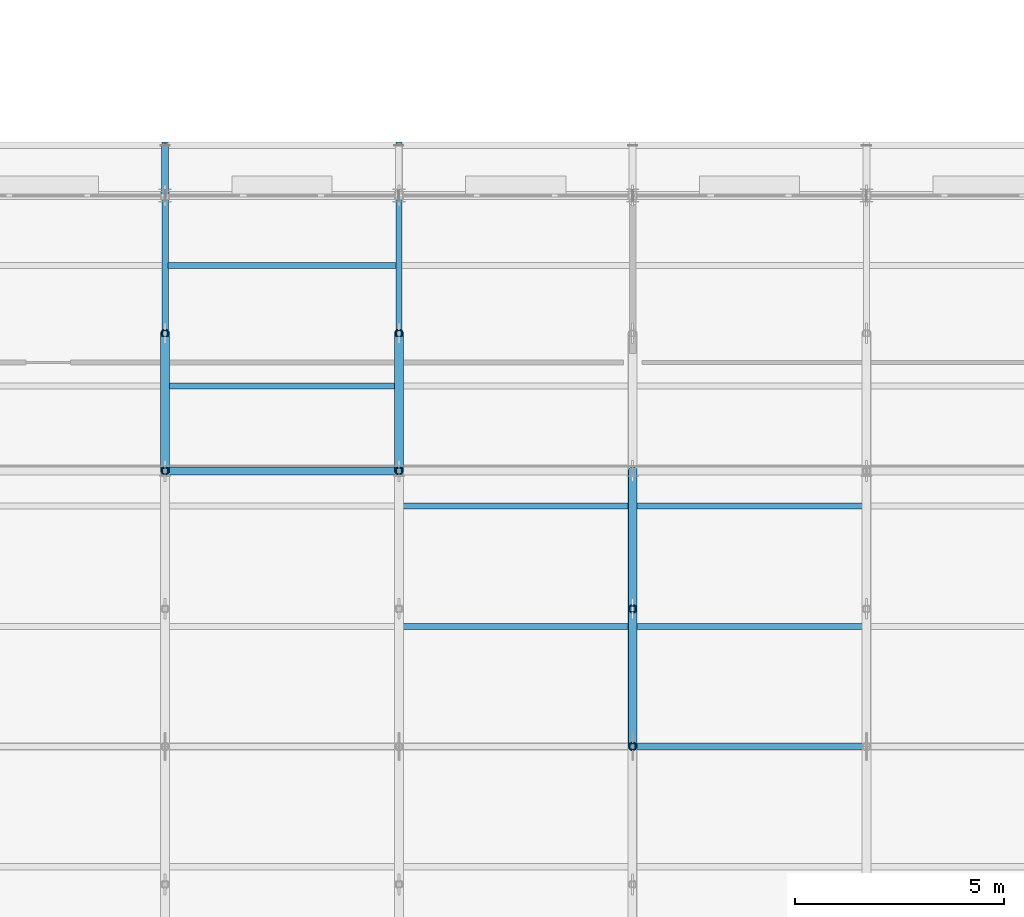
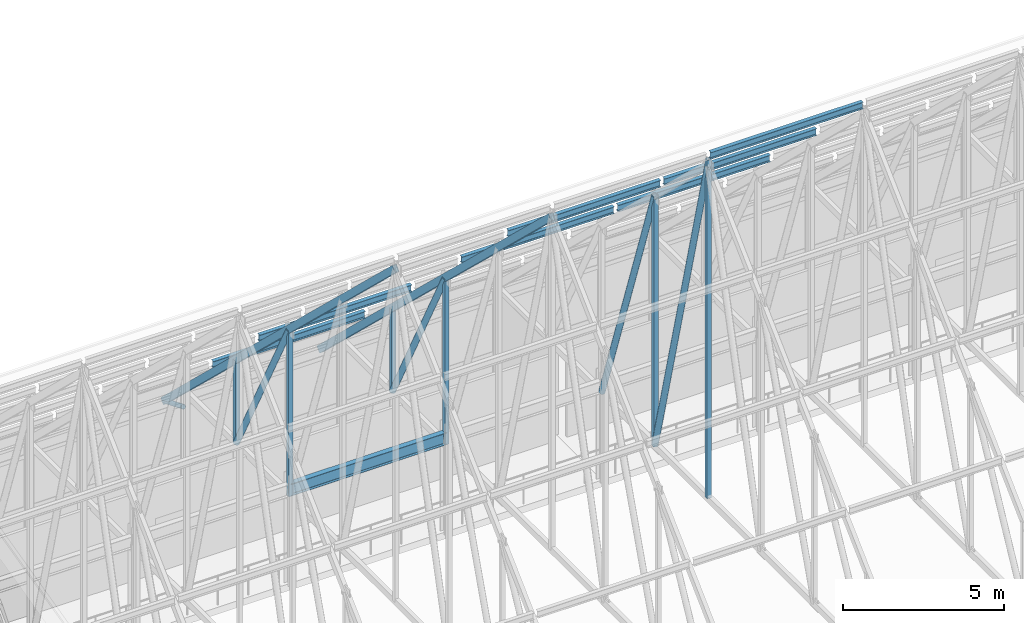
# One storey, part 38 of 144: 20 members, 1 beam.
"""IFC4 building model written with IfcOpenShell, lengths in metres."""

import ifcopenshell
import ifcopenshell.guid

model = None  # the IFC model being written
_history = None  # IfcOwnerHistory: only IFC2X3 demands one
_inside = {}  # id of a spatial element -> (the spatial element, [elements in it])
_under = {}  # id of a project, library or spatial element -> (it, [spatial elements below it])
_declared = {}  # id of a project -> (the project, [libraries it declares])
_typed = {}  # id of a type object -> (the type object, [elements of that type])
_made_of = {}  # id of a material, layer set ... -> (it, [elements and type objects made of it])


def new_model(schema):
    """Start an empty IFC model of exactly this schema.

    Asked for "IFC4X3", IfcOpenShell would pick the latest addendum, in which some entities
    have other attributes; the version numbers below select the first issue.
    IFC2X3 requires an IfcOwnerHistory on every rooted entity: one is made here for all.
    """
    global model, _history
    if schema == "IFC4X3":
        model = ifcopenshell.file(schema_version=(4, 3, 0, 0))
    else:
        model = ifcopenshell.file(schema=schema)
    _inside.clear()
    _under.clear()
    _declared.clear()
    _typed.clear()
    _made_of.clear()
    _history = None
    if model.schema == "IFC2X3":
        org = make("IfcOrganization", Name="unknown")
        user = make(
            "IfcPersonAndOrganization",
            ThePerson=make("IfcPerson", FamilyName="unknown"),
            TheOrganization=org,
        )
        app = make(
            "IfcApplication",
            ApplicationDeveloper=org,
            Version="unknown",
            ApplicationFullName="unknown",
            ApplicationIdentifier="unknown",
        )
        _history = make(
            "IfcOwnerHistory",
            OwningUser=user,
            OwningApplication=app,
            ChangeAction="ADDED",
            CreationDate=0,
        )
    return model


def make(cls, **values):
    """One entity of the class cls with the attributes given. An attribute that is None is left unset."""
    return model.create_entity(
        cls, **{name: value for name, value in values.items() if value is not None}
    )


def rooted(cls, **values):
    """An entity with a GlobalId (a new one), such as an element, a storey or a relation."""
    return make(cls, GlobalId=ifcopenshell.guid.new(), OwnerHistory=_history, **values)


def si_unit(unit_type, name, prefix=None):
    """IfcSIUnit, for example si_unit("LENGTHUNIT", "METRE", prefix="MILLI")."""
    return make("IfcSIUnit", UnitType=unit_type, Prefix=prefix, Name=name)


def assignment(units):
    """IfcUnitAssignment: the units of a project."""
    return None if units is None else make("IfcUnitAssignment", Units=units)


def point(xyz):
    """IfcCartesianPoint."""
    return None if xyz is None else make("IfcCartesianPoint", Coordinates=xyz)


def direction(xyz):
    """IfcDirection."""
    return None if xyz is None else make("IfcDirection", DirectionRatios=xyz)


def frame(location, z_axis=None, x_axis=None):
    """IfcAxis2Placement3D, a coordinate frame: its origin and axes. An axis left out is left unset."""
    return make(
        "IfcAxis2Placement3D",
        Location=point(location),
        Axis=direction(z_axis),
        RefDirection=direction(x_axis),
    )


def frame_2d(location, x_axis=None):
    """IfcAxis2Placement2D, a coordinate frame in the plane: its origin and x axis."""
    return make(
        "IfcAxis2Placement2D", Location=point(location), RefDirection=direction(x_axis)
    )


def origin():
    """The frame at (0, 0, 0) with its axes left unset."""
    return frame((0.0, 0.0, 0.0))


def origin_2d():
    """The frame at (0, 0) in the plane with its x axis left unset."""
    return frame_2d((0.0, 0.0))


def place(relative_to, where):
    """IfcLocalPlacement: puts the frame where relative to a parent placement (None: the world)."""
    return make(
        "IfcLocalPlacement", PlacementRelTo=relative_to, RelativePlacement=where
    )


def context(
    kind, dimensions, precision=None, world=None, true_north=None, identifier=None
):
    """IfcGeometricRepresentationContext, for example the 3D "Model" context."""
    return make(
        "IfcGeometricRepresentationContext",
        ContextIdentifier=identifier,
        ContextType=kind,
        CoordinateSpaceDimension=dimensions,
        Precision=precision,
        WorldCoordinateSystem=world,
        TrueNorth=true_north,
    )


def subcontext(parent, identifier, kind, view, scale=None):
    """IfcGeometricRepresentationSubContext, for example "Body" below "Model"."""
    return make(
        "IfcGeometricRepresentationSubContext",
        ContextIdentifier=identifier,
        ContextType=kind,
        ParentContext=parent,
        TargetScale=scale,
        TargetView=view,
    )


def project(units=None, contexts=None):
    """IfcProject with its units and contexts."""
    return rooted(
        "IfcProject",
        Name="project",
        RepresentationContexts=contexts,
        UnitsInContext=assignment(units),
    )


def spatial(cls, under=None, at=None, **own):
    """A site, building, storey or space (cls), placed at a placement, below another one or the project."""
    s = rooted(cls, ObjectPlacement=at, **own)
    if under is not None:
        _under.setdefault(under.id(), (under, []))[1].append(s)
    return s


def profile(cls, at=None, kind="AREA", **sizes):
    """A parametric profile (cls). Its sizes go by their IFC names, for example OverallWidth=200.0."""
    return make(cls, ProfileType=kind, Position=at, **sizes)


def hollow_rectangle(**sizes):
    """IfcRectangleHollowProfileDef."""
    return profile("IfcRectangleHollowProfileDef", **sizes)


def hollow_circle(**sizes):
    """IfcCircleHollowProfileDef."""
    return profile("IfcCircleHollowProfileDef", **sizes)


def i_section(**sizes):
    """IfcIShapeProfileDef."""
    return profile("IfcIShapeProfileDef", **sizes)


def extrude(swept, where, along, depth):
    """IfcExtrudedAreaSolid: the profile swept, set in the frame where, extruded along a direction by depth."""
    return make(
        "IfcExtrudedAreaSolid",
        SweptArea=swept,
        Position=where,
        ExtrudedDirection=direction(along),
        Depth=depth,
    )


def shape(context_of_items, identifier, shape_type, items):
    """IfcShapeRepresentation: the items that make up one representation, for example the "Body"."""
    return make(
        "IfcShapeRepresentation",
        ContextOfItems=context_of_items,
        RepresentationIdentifier=identifier,
        RepresentationType=shape_type,
        Items=items,
    )


def material(Name=None, Category=None):
    """IfcMaterial."""
    return make("IfcMaterial", Name=Name, Category=Category)


def material_profile(
    of_material, cross_section, Name=None, Category=None, Priority=None
):
    """IfcMaterialProfile: a cross section and its material."""
    return make(
        "IfcMaterialProfile",
        Name=Name,
        Material=of_material,
        Profile=cross_section,
        Priority=Priority,
        Category=Category,
    )


def profile_set(profiles, Name=None, composite=None):
    """IfcMaterialProfileSet."""
    return make(
        "IfcMaterialProfileSet",
        Name=Name,
        MaterialProfiles=profiles,
        CompositeProfile=composite,
    )


def made_of(thing, what):
    """Note that an element or type object is made of a material, layer set ...; save() writes the relation."""
    if what is not None:
        _made_of.setdefault(what.id(), (what, []))[1].append(thing)
    return thing


def type_object(cls, material=None, **own):
    """A type object (cls), such as IfcWallType, which elements share."""
    return made_of(rooted(cls, **own), material)


def element(
    cls,
    number,
    at=None,
    inside=None,
    cuts=None,
    type_object=None,
    material=None,
    context=None,
    identifier="Body",
    shape_type=None,
    held_by="IfcProductDefinitionShape",
    body=None,
    shapes=None,
    **own,
):
    """One element of the class cls, such as IfcWall. Its Tag is "e" and its number.

    at: its placement. inside: the storey or other place that contains it. cuts: it is an
    opening in that element (IfcRelVoidsElement). A single representation is given by context,
    identifier, shape_type and body (its items); several are given by shapes. held_by: the class
    of the entity that holds the representations. save() writes the other relations.
    """
    e = rooted(cls, Tag="e%d" % number, ObjectPlacement=at, **own)
    if body is not None:
        shapes = [shape(context, identifier, shape_type, body)]
    if shapes is not None:
        e.Representation = make(held_by, Representations=shapes)
    if inside is not None:
        _inside.setdefault(inside.id(), (inside, []))[1].append(e)
    if cuts is not None:
        rooted(
            "IfcRelVoidsElement", RelatingBuildingElement=cuts, RelatedOpeningElement=e
        )
    if type_object is not None:
        _typed.setdefault(type_object.id(), (type_object, []))[1].append(e)
    return made_of(e, material)


def aggregate(whole, parts):
    """IfcRelAggregates: a whole, such as a stair, and the parts it consists of."""
    return rooted("IfcRelAggregates", RelatingObject=whole, RelatedObjects=parts)


def save(model, path):
    """Write the relations noted so far, then the file.

    IfcRelAggregates (storeys below a building ...), IfcRelContainedInSpatialStructure (elements
    in a storey), IfcRelDefinesByType, IfcRelAssociatesMaterial and IfcRelDeclares: one each for
    every whole, place, type object, material and project.
    """
    for whole, parts in _under.values():
        aggregate(whole, parts)
    for where, things in _inside.values():
        rooted(
            "IfcRelContainedInSpatialStructure",
            RelatedElements=things,
            RelatingStructure=where,
        )
    for kind, things in _typed.values():
        rooted("IfcRelDefinesByType", RelatedObjects=things, RelatingType=kind)
    for what, things in _made_of.values():
        rooted("IfcRelAssociatesMaterial", RelatedObjects=things, RelatingMaterial=what)
    for by, libraries in _declared.values():
        rooted("IfcRelDeclares", RelatingContext=by, RelatedDefinitions=libraries)
    model.write(path)


model = new_model("IFC4")

# Units and contexts
model_context = context("Model", 3, precision=1e-05, world=origin(), true_north=direction((0.0, 1.0)))
body_context = subcontext(model_context, "Body", "Model", "MODEL_VIEW")
ifc_project = project(units=[si_unit("LENGTHUNIT", "METRE"), si_unit("AREAUNIT", "SQUARE_METRE"), si_unit("VOLUMEUNIT", "CUBIC_METRE"), si_unit("PLANEANGLEUNIT", "RADIAN"), si_unit("MASSUNIT", "GRAM", prefix="KILO")], contexts=[model_context])

# Site, building, storey
site_placement = place(None, origin())
site = spatial("IfcSite", under=ifc_project, at=site_placement, CompositionType="ELEMENT")
building_placement = place(site_placement, origin())
building = spatial("IfcBuilding", under=site, at=building_placement, Name="Trelmorton Wharf Fire Station", CompositionType="ELEMENT")
storey_placement = place(building_placement, frame((0.0, 0.0, 5.39990234375)))
storey = spatial("IfcBuildingStorey", under=building, at=storey_placement, Name="L01", CompositionType="ELEMENT", Elevation=5.39990234375)

# Members
ifc_material_1 = material(Name="Steel Grade 300 (300 MPa)", Category="steel")
ifc_material_profile_1 = material_profile(ifc_material_1, i_section(OverallWidth=0.14599609375, OverallDepth=0.256103515625, WebThickness=0.00634765625, FlangeThickness=0.010986328125, FilletRadius=0.0087890625, at=origin_2d()), Name="250UB37.3")
ifc_profile_set_1 = profile_set([ifc_material_profile_1], Name="Steel Grade 300 (300 MPa)")
member_type_1 = type_object("IfcMemberType", Name="PR_250UB37", PredefinedType="PURLIN", material=ifc_profile_set_1)
for number, where, z_axis, x_axis, name in (
    (1, (17.672119140625, 29.639892578125, 8.064453125), (1.0, 0.0, 0.0), (0.0, 1.0, 0.0), "V1-PR-B04-N3"),
    (2, (17.672119140625, 32.52001953125, 5.315185546875), (1.0, 0.0, 0.0), (0.0, 1.0, 0.0), "V1-PR-B04-N4"),
):
    element("IfcMember", number, at=place(storey_placement, frame(where, z_axis=z_axis, x_axis=x_axis)), inside=storey, type_object=member_type_1, Name=name, PredefinedType="PURLIN", context=body_context, shape_type="SweptSolid", body=[
        extrude(i_section(OverallWidth=0.14599609375, OverallDepth=0.256103515625, WebThickness=0.00634765625, FlangeThickness=0.010986328125, FilletRadius=0.0087890625, at=origin_2d()), origin(), (0.0, 0.0, 1.0), 5.455810546875),
    ])
for number, where, z_axis, x_axis, name in (
    (3, (23.27197265625, 23.8798828125, 13.5625), (1.0, 0.0, 0.0), (0.0, 1.0, 0.0), "V1-PR-B05-N1"),
    (4, (23.27197265625, 26.760009765625, 10.8134765625), (1.0, 0.0, 0.0), (0.0, 1.0, 0.0), "V1-PR-B05-N2"),
):
    element("IfcMember", number, at=place(storey_placement, frame(where, z_axis=z_axis, x_axis=x_axis)), inside=storey, type_object=member_type_1, Name=name, PredefinedType="PURLIN", context=body_context, shape_type="SweptSolid", body=[
        extrude(i_section(OverallWidth=0.14599609375, OverallDepth=0.256103515625, WebThickness=0.00634765625, FlangeThickness=0.010986328125, FilletRadius=0.0087890625, at=origin_2d()), origin(), (0.0, 0.0, 1.0), 5.4560546875),
    ])
for number, where, z_axis, x_axis, name in (
    (5, (28.8720703125, 21.0, 16.311767578125), (1.0, 0.0, 0.0), (0.0, 1.0, 0.0), "V1-PR-B06-S5"),
    (6, (28.8720703125, 23.8798828125, 13.5625), (1.0, 0.0, 0.0), (0.0, 1.0, 0.0), "V1-PR-B06-N1"),
    (7, (28.8720703125, 26.760009765625, 10.8134765625), (1.0, 0.0, 0.0), (0.0, 1.0, 0.0), "V1-PR-B06-N2"),
):
    element("IfcMember", number, at=place(storey_placement, frame(where, z_axis=z_axis, x_axis=x_axis)), inside=storey, type_object=member_type_1, Name=name, PredefinedType="PURLIN", context=body_context, shape_type="SweptSolid", body=[
        extrude(i_section(OverallWidth=0.14599609375, OverallDepth=0.256103515625, WebThickness=0.00634765625, FlangeThickness=0.010986328125, FilletRadius=0.0087890625, at=origin_2d()), origin(), (0.0, 0.0, 1.0), 5.455810546875),
    ])

# Beam
ifc_material_2 = material(Name="Steel Grade 350", Category="steel")
ifc_material_profile_2 = material_profile(ifc_material_2, i_section(OverallWidth=0.18994140625, OverallDepth=0.45703125, WebThickness=0.009033203125, FlangeThickness=0.014404296875, FilletRadius=0.011474609375, at=origin_2d()), Name="460UB74.6")
ifc_profile_set_2 = profile_set([ifc_material_profile_2], Name="Steel Grade 350")
beam_type = type_object("IfcBeamType", Name="SP_460UB75", PredefinedType="SPANDREL", material=ifc_profile_set_2)
beam_placement = place(storey_placement, frame((17.60400390625, 27.60009765625, 3.591552734375), z_axis=(1.0, 0.0, 0.0), x_axis=(0.0, 1.0, 0.0)))
element("IfcBeam", 8, at=beam_placement, inside=storey, type_object=beam_type, Name="BM-L01-0455", PredefinedType="SPANDREL", context=body_context, shape_type="SweptSolid", body=[
    extrude(i_section(OverallWidth=0.18994140625, OverallDepth=0.45703125, WebThickness=0.009033203125, FlangeThickness=0.014404296875, FilletRadius=0.011474609375, at=origin_2d()), origin(), (0.0, 0.0, 1.0), 5.592041015625),
])

# Members
ifc_material_3 = material(Name="Steel C350L0 (350 MPa)", Category="steel")
ifc_material_profile_3 = material_profile(ifc_material_3, hollow_circle(Radius=0.084228515625, WallThickness=0.007080078125, at=origin_2d()), Name="168.3x7.1CHS")
ifc_profile_set_3 = profile_set([ifc_material_profile_3], Name="Steel C350L0 (350 MPa)")
member_type_2 = type_object("IfcMemberType", Name="TR_DIAG_168CHS", PredefinedType="STRUT", material=ifc_profile_set_3)
member_1_placement = place(storey_placement, frame((17.60009765625, 34.199951171875, 2.7001953125), z_axis=(0.0, 0.924732639899, -0.380617320553), x_axis=(-1.0, 0.0, 0.0)))
element("IfcMember", 9, at=member_1_placement, inside=storey, type_object=member_type_2, Name="V1-TR04-EAV-N", PredefinedType="STRUT", context=body_context, shape_type="SweptSolid", body=[
    extrude(hollow_circle(Radius=0.084228515625, WallThickness=0.007080078125, at=origin_2d()), origin(), (0.0, 0.0, 1.0), 1.297607421875),
])
ifc_material_profile_4 = material_profile(ifc_material_3, hollow_circle(Radius=0.109619140625, WallThickness=0.00830078125, at=origin_2d()), Name="219.1x8.2CHS")
ifc_profile_set_4 = profile_set([ifc_material_profile_4], Name="Steel C350L0 (350 MPa)")
member_type_3 = type_object("IfcMemberType", Name="TR_DIAG_219CHS", PredefinedType="STRUT", material=ifc_profile_set_4)
for number, where, z_axis, x_axis, name in (
    (10, (17.60009765625, 30.89990234375, 3.351806640625), (0.0, -0.463982622554, 0.8858443012), (1.0, 0.0, 0.0), "V1-TR04-DG-N1"),
    (11, (23.199951171875, 30.89990234375, 3.351806640625), (0.0, -0.463982622554, 0.8858443012), (1.0, 0.0, 0.0), "V1-TR05-DG-N1"),
):
    element("IfcMember", number, at=place(storey_placement, frame(where, z_axis=z_axis, x_axis=x_axis)), inside=storey, type_object=member_type_3, Name=name, PredefinedType="STRUT", context=body_context, shape_type="SweptSolid", body=[
        extrude(hollow_circle(Radius=0.109619140625, WallThickness=0.00830078125, at=origin_2d()), origin(), (0.0, 0.0, 1.0), 7.11181640625),
    ])
member_2_placement = place(storey_placement, frame((28.800048828125, 27.60009765625, 3.351806640625), z_axis=(0.0, -0.329681107508, 0.944092351072), x_axis=(1.0, 0.0, 0.0)))
element("IfcMember", 12, at=member_2_placement, inside=storey, type_object=member_type_3, Name="V1-TR06-DG-N2", PredefinedType="STRUT", context=body_context, shape_type="SweptSolid", body=[
    extrude(hollow_circle(Radius=0.109619140625, WallThickness=0.00830078125, at=origin_2d()), origin(), (0.0, 0.0, 1.0), 10.009765625),
])
member_3_placement = place(storey_placement, frame((28.800048828125, 24.300048828125, 3.351806640625), z_axis=(0.0, -0.25336106238, 0.967371785856), x_axis=(1.0, 0.0, 0.0)))
element("IfcMember", 13, at=member_3_placement, inside=storey, type_object=member_type_3, Name="V1-TR06-DG-N3", PredefinedType="STRUT", context=body_context, shape_type="SweptSolid", body=[
    extrude(hollow_circle(Radius=0.109619140625, WallThickness=0.00830078125, at=origin_2d()), origin(), (0.0, 0.0, 1.0), 13.025146484375),
])
ifc_material_profile_5 = material_profile(ifc_material_3, hollow_rectangle(XDim=0.14990234375, YDim=0.14990234375, WallThickness=0.009033203125, at=origin_2d()), Name="150x150x9.0SHS")
ifc_profile_set_5 = profile_set([ifc_material_profile_5], Name="Steel C350L0 (350 MPa)")
member_type_4 = type_object("IfcMemberType", Name="TR_POST_150SHS", PredefinedType="POST", material=ifc_profile_set_5)
member_4_placement = place(storey_placement, frame((17.60009765625, 30.89990234375, 3.351806640625), z_axis=(0.0, 0.0, 1.0), x_axis=(1.0, 0.0, 0.0)))
element("IfcMember", 14, at=member_4_placement, inside=storey, type_object=member_type_4, Name="V1-TR04-VP-N1", PredefinedType="POST", context=body_context, shape_type="SweptSolid", body=[
    extrude(hollow_rectangle(XDim=0.14990234375, YDim=0.14990234375, WallThickness=0.009033203125, at=origin_2d()), origin(), (0.0, 0.0, 1.0), 3.150146484375),
])
member_5_placement = place(storey_placement, frame((17.60009765625, 27.60009765625, 3.351806640625), z_axis=(0.0, 0.0, 1.0), x_axis=(1.0, 0.0, 0.0)))
element("IfcMember", 15, at=member_5_placement, inside=storey, type_object=member_type_4, Name="V1-TR04-VP-N2", PredefinedType="POST", context=body_context, shape_type="SweptSolid", body=[
    extrude(hollow_rectangle(XDim=0.14990234375, YDim=0.14990234375, WallThickness=0.009033203125, at=origin_2d()), origin(), (0.0, 0.0, 1.0), 6.300048828125),
])
member_6_placement = place(storey_placement, frame((23.199951171875, 30.89990234375, 3.351806640625), z_axis=(0.0, 0.0, 1.0), x_axis=(1.0, 0.0, 0.0)))
element("IfcMember", 16, at=member_6_placement, inside=storey, type_object=member_type_4, Name="V1-TR05-VP-N1", PredefinedType="POST", context=body_context, shape_type="SweptSolid", body=[
    extrude(hollow_rectangle(XDim=0.14990234375, YDim=0.14990234375, WallThickness=0.009033203125, at=origin_2d()), origin(), (0.0, 0.0, 1.0), 3.150146484375),
])
member_7_placement = place(storey_placement, frame((23.199951171875, 27.60009765625, 3.351806640625), z_axis=(0.0, 0.0, 1.0), x_axis=(1.0, 0.0, 0.0)))
element("IfcMember", 17, at=member_7_placement, inside=storey, type_object=member_type_4, Name="V1-TR05-VP-N2", PredefinedType="POST", context=body_context, shape_type="SweptSolid", body=[
    extrude(hollow_rectangle(XDim=0.14990234375, YDim=0.14990234375, WallThickness=0.009033203125, at=origin_2d()), origin(), (0.0, 0.0, 1.0), 6.300048828125),
])
member_8_placement = place(storey_placement, frame((28.800048828125, 21.0, 3.351806640625), z_axis=(0.0, 0.0, 1.0), x_axis=(1.0, 0.0, 0.0)))
element("IfcMember", 18, at=member_8_placement, inside=storey, type_object=member_type_4, Name="V1-TR06-KP", PredefinedType="POST", context=body_context, shape_type="SweptSolid", body=[
    extrude(hollow_rectangle(XDim=0.14990234375, YDim=0.14990234375, WallThickness=0.009033203125, at=origin_2d()), origin(), (0.0, 0.0, 1.0), 12.8359375),
])
member_9_placement = place(storey_placement, frame((28.800048828125, 24.300048828125, 3.351806640625), z_axis=(0.0, 0.0, 1.0), x_axis=(1.0, 0.0, 0.0)))
element("IfcMember", 19, at=member_9_placement, inside=storey, type_object=member_type_4, Name="V1-TR06-VP-N3", PredefinedType="POST", context=body_context, shape_type="SweptSolid", body=[
    extrude(hollow_rectangle(XDim=0.14990234375, YDim=0.14990234375, WallThickness=0.009033203125, at=origin_2d()), origin(), (0.0, 0.0, 1.0), 9.4501953125),
])
ifc_material_profile_6 = material_profile(ifc_material_3, hollow_rectangle(XDim=0.14990234375, YDim=0.25, WallThickness=0.009033203125, at=origin_2d()), Name="250x150x9.0RHS")
ifc_profile_set_6 = profile_set([ifc_material_profile_6], Name="Steel C350L0 (350 MPa)")
member_type_5 = type_object("IfcMemberType", Name="TR_RAFT_250RHS", PredefinedType="RAFTER", material=ifc_profile_set_6)
for number, where, z_axis, x_axis, name in (
    (20, (17.60009765625, 21.0, 15.951904296875), (0.0, 0.723349418794, -0.690482163659), (-1.0, 0.0, 0.0), "V1-TR04-RFN"),
    (21, (23.199951171875, 21.0, 15.951904296875), (0.0, 0.723349418794, -0.690482163659), (-1.0, 0.0, 0.0), "V1-TR05-RFN"),
):
    element("IfcMember", number, at=place(storey_placement, frame(where, z_axis=z_axis, x_axis=x_axis)), inside=storey, type_object=member_type_5, Name=name, PredefinedType="RAFTER", context=body_context, shape_type="SweptSolid", body=[
        extrude(hollow_rectangle(XDim=0.14990234375, YDim=0.25, WallThickness=0.009033203125, at=origin_2d()), origin(), (0.0, 0.0, 1.0), 19.9072265625),
    ])

save(model, "model.ifc")
